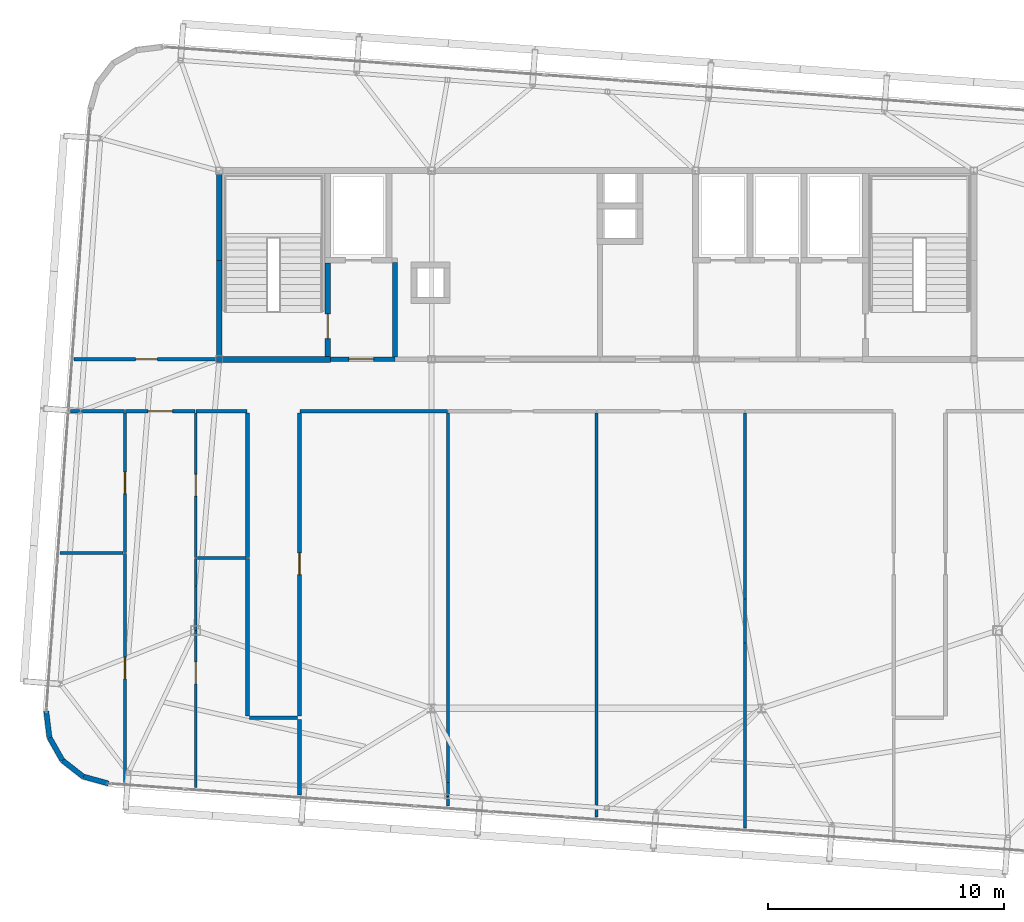
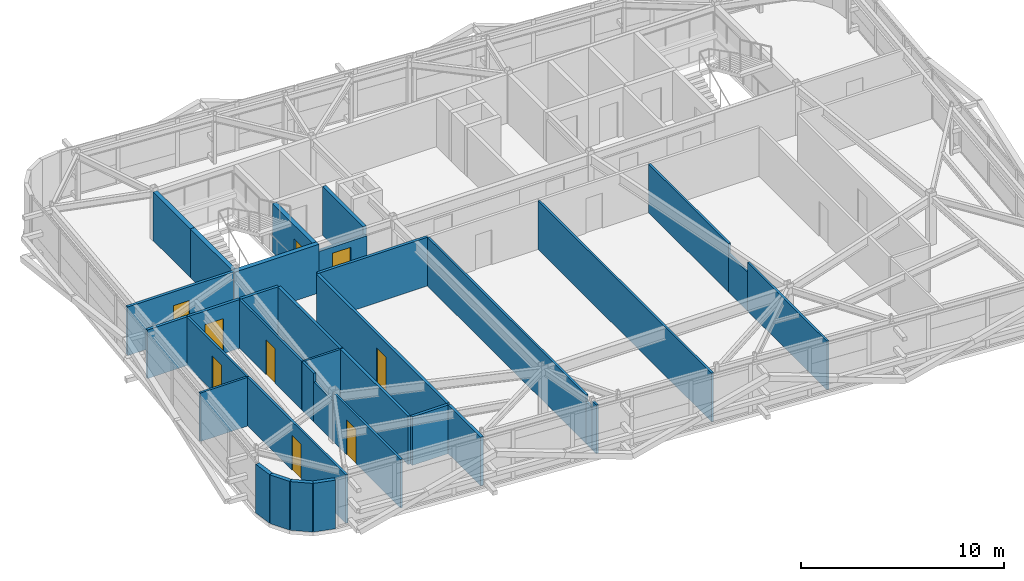
# One storey, part 38 of 42: 35 walls, 9 doors, 9 openings.
"""IFC4 building model written with IfcOpenShell, lengths in metres."""

import ifcopenshell
import ifcopenshell.guid

model = None  # the IFC model being written
_history = None  # IfcOwnerHistory: only IFC2X3 demands one
_inside = {}  # id of a spatial element -> (the spatial element, [elements in it])
_under = {}  # id of a project, library or spatial element -> (it, [spatial elements below it])
_declared = {}  # id of a project -> (the project, [libraries it declares])
_typed = {}  # id of a type object -> (the type object, [elements of that type])
_made_of = {}  # id of a material, layer set ... -> (it, [elements and type objects made of it])


def new_model(schema):
    """Start an empty IFC model of exactly this schema.

    Asked for "IFC4X3", IfcOpenShell would pick the latest addendum, in which some entities
    have other attributes; the version numbers below select the first issue.
    IFC2X3 requires an IfcOwnerHistory on every rooted entity: one is made here for all.
    """
    global model, _history
    if schema == "IFC4X3":
        model = ifcopenshell.file(schema_version=(4, 3, 0, 0))
    else:
        model = ifcopenshell.file(schema=schema)
    _inside.clear()
    _under.clear()
    _declared.clear()
    _typed.clear()
    _made_of.clear()
    _history = None
    if model.schema == "IFC2X3":
        org = make("IfcOrganization", Name="unknown")
        user = make(
            "IfcPersonAndOrganization",
            ThePerson=make("IfcPerson", FamilyName="unknown"),
            TheOrganization=org,
        )
        app = make(
            "IfcApplication",
            ApplicationDeveloper=org,
            Version="unknown",
            ApplicationFullName="unknown",
            ApplicationIdentifier="unknown",
        )
        _history = make(
            "IfcOwnerHistory",
            OwningUser=user,
            OwningApplication=app,
            ChangeAction="ADDED",
            CreationDate=0,
        )
    return model


def make(cls, **values):
    """One entity of the class cls with the attributes given. An attribute that is None is left unset."""
    return model.create_entity(
        cls, **{name: value for name, value in values.items() if value is not None}
    )


def rooted(cls, **values):
    """An entity with a GlobalId (a new one), such as an element, a storey or a relation."""
    return make(cls, GlobalId=ifcopenshell.guid.new(), OwnerHistory=_history, **values)


def si_unit(unit_type, name, prefix=None):
    """IfcSIUnit, for example si_unit("LENGTHUNIT", "METRE", prefix="MILLI")."""
    return make("IfcSIUnit", UnitType=unit_type, Prefix=prefix, Name=name)


def assignment(units):
    """IfcUnitAssignment: the units of a project."""
    return None if units is None else make("IfcUnitAssignment", Units=units)


def point(xyz):
    """IfcCartesianPoint."""
    return None if xyz is None else make("IfcCartesianPoint", Coordinates=xyz)


def direction(xyz):
    """IfcDirection."""
    return None if xyz is None else make("IfcDirection", DirectionRatios=xyz)


def frame(location, z_axis=None, x_axis=None):
    """IfcAxis2Placement3D, a coordinate frame: its origin and axes. An axis left out is left unset."""
    return make(
        "IfcAxis2Placement3D",
        Location=point(location),
        Axis=direction(z_axis),
        RefDirection=direction(x_axis),
    )


def frame_2d(location, x_axis=None):
    """IfcAxis2Placement2D, a coordinate frame in the plane: its origin and x axis."""
    return make(
        "IfcAxis2Placement2D", Location=point(location), RefDirection=direction(x_axis)
    )


def origin():
    """The frame at (0, 0, 0) with its axes left unset."""
    return frame((0.0, 0.0, 0.0))


def place(relative_to, where):
    """IfcLocalPlacement: puts the frame where relative to a parent placement (None: the world)."""
    return make(
        "IfcLocalPlacement", PlacementRelTo=relative_to, RelativePlacement=where
    )


def context(
    kind, dimensions, precision=None, world=None, true_north=None, identifier=None
):
    """IfcGeometricRepresentationContext, for example the 3D "Model" context."""
    return make(
        "IfcGeometricRepresentationContext",
        ContextIdentifier=identifier,
        ContextType=kind,
        CoordinateSpaceDimension=dimensions,
        Precision=precision,
        WorldCoordinateSystem=world,
        TrueNorth=true_north,
    )


def subcontext(parent, identifier, kind, view, scale=None):
    """IfcGeometricRepresentationSubContext, for example "Body" below "Model"."""
    return make(
        "IfcGeometricRepresentationSubContext",
        ContextIdentifier=identifier,
        ContextType=kind,
        ParentContext=parent,
        TargetScale=scale,
        TargetView=view,
    )


def project(units=None, contexts=None):
    """IfcProject with its units and contexts."""
    return rooted(
        "IfcProject",
        Name="project",
        RepresentationContexts=contexts,
        UnitsInContext=assignment(units),
    )


def spatial(cls, under=None, at=None, **own):
    """A site, building, storey or space (cls), placed at a placement, below another one or the project."""
    s = rooted(cls, ObjectPlacement=at, **own)
    if under is not None:
        _under.setdefault(under.id(), (under, []))[1].append(s)
    return s


def profile(cls, at=None, kind="AREA", **sizes):
    """A parametric profile (cls). Its sizes go by their IFC names, for example OverallWidth=200.0."""
    return make(cls, ProfileType=kind, Position=at, **sizes)


def rectangle(**sizes):
    """IfcRectangleProfileDef."""
    return profile("IfcRectangleProfileDef", **sizes)


def extrude(swept, where, along, depth):
    """IfcExtrudedAreaSolid: the profile swept, set in the frame where, extruded along a direction by depth."""
    return make(
        "IfcExtrudedAreaSolid",
        SweptArea=swept,
        Position=where,
        ExtrudedDirection=direction(along),
        Depth=depth,
    )


def shape(context_of_items, identifier, shape_type, items):
    """IfcShapeRepresentation: the items that make up one representation, for example the "Body"."""
    return make(
        "IfcShapeRepresentation",
        ContextOfItems=context_of_items,
        RepresentationIdentifier=identifier,
        RepresentationType=shape_type,
        Items=items,
    )


def source(mapping_origin, context_of_items, identifier, shape_type, items):
    """IfcRepresentationMap: a shape defined once, which mapped items show again and again."""
    return make(
        "IfcRepresentationMap",
        MappingOrigin=mapping_origin,
        MappedRepresentation=shape(context_of_items, identifier, shape_type, items),
    )


def transform(
    local_origin,
    x_axis=None,
    y_axis=None,
    z_axis=None,
    scale=None,
    scale2=None,
    scale3=None,
    uniform=True,
):
    """IfcCartesianTransformationOperator3D, or its non-uniform kind. x_axis, y_axis, z_axis: its Axis1, 2, 3."""
    if uniform:
        return make(
            "IfcCartesianTransformationOperator3D",
            Axis1=direction(x_axis),
            Axis2=direction(y_axis),
            LocalOrigin=point(local_origin),
            Scale=scale,
            Axis3=direction(z_axis),
        )
    return make(
        "IfcCartesianTransformationOperator3DnonUniform",
        Axis1=direction(x_axis),
        Axis2=direction(y_axis),
        LocalOrigin=point(local_origin),
        Scale=scale,
        Axis3=direction(z_axis),
        Scale2=scale2,
        Scale3=scale3,
    )


def mapped(mapping_source, mapping_target):
    """IfcMappedItem: shows the shape of a source again, moved by a transform."""
    return make(
        "IfcMappedItem", MappingSource=mapping_source, MappingTarget=mapping_target
    )


def material(Name=None, Category=None):
    """IfcMaterial."""
    return make("IfcMaterial", Name=Name, Category=Category)


def layer(
    of_material, thickness, ventilated=None, Name=None, Category=None, Priority=None
):
    """IfcMaterialLayer: one layer of a wall or slab, of a material (None: an air gap)."""
    return make(
        "IfcMaterialLayer",
        Material=of_material,
        LayerThickness=thickness,
        IsVentilated=ventilated,
        Name=Name,
        Category=Category,
        Priority=Priority,
    )


def layer_set(layers, Name=None):
    """IfcMaterialLayerSet."""
    return make("IfcMaterialLayerSet", MaterialLayers=layers, LayerSetName=Name)


def made_of(thing, what):
    """Note that an element or type object is made of a material, layer set ...; save() writes the relation."""
    if what is not None:
        _made_of.setdefault(what.id(), (what, []))[1].append(thing)
    return thing


def type_object(cls, material=None, **own):
    """A type object (cls), such as IfcWallType, which elements share."""
    return made_of(rooted(cls, **own), material)


def element(
    cls,
    number,
    at=None,
    inside=None,
    cuts=None,
    type_object=None,
    material=None,
    context=None,
    identifier="Body",
    shape_type=None,
    held_by="IfcProductDefinitionShape",
    body=None,
    shapes=None,
    **own,
):
    """One element of the class cls, such as IfcWall. Its Tag is "e" and its number.

    at: its placement. inside: the storey or other place that contains it. cuts: it is an
    opening in that element (IfcRelVoidsElement). A single representation is given by context,
    identifier, shape_type and body (its items); several are given by shapes. held_by: the class
    of the entity that holds the representations. save() writes the other relations.
    """
    e = rooted(cls, Tag="e%d" % number, ObjectPlacement=at, **own)
    if body is not None:
        shapes = [shape(context, identifier, shape_type, body)]
    if shapes is not None:
        e.Representation = make(held_by, Representations=shapes)
    if inside is not None:
        _inside.setdefault(inside.id(), (inside, []))[1].append(e)
    if cuts is not None:
        rooted(
            "IfcRelVoidsElement", RelatingBuildingElement=cuts, RelatedOpeningElement=e
        )
    if type_object is not None:
        _typed.setdefault(type_object.id(), (type_object, []))[1].append(e)
    return made_of(e, material)


def fill(opening, filler):
    """IfcRelFillsElement: the door or window that sits in an opening."""
    return rooted(
        "IfcRelFillsElement",
        RelatingOpeningElement=opening,
        RelatedBuildingElement=filler,
    )


def aggregate(whole, parts):
    """IfcRelAggregates: a whole, such as a stair, and the parts it consists of."""
    return rooted("IfcRelAggregates", RelatingObject=whole, RelatedObjects=parts)


def save(model, path):
    """Write the relations noted so far, then the file.

    IfcRelAggregates (storeys below a building ...), IfcRelContainedInSpatialStructure (elements
    in a storey), IfcRelDefinesByType, IfcRelAssociatesMaterial and IfcRelDeclares: one each for
    every whole, place, type object, material and project.
    """
    for whole, parts in _under.values():
        aggregate(whole, parts)
    for where, things in _inside.values():
        rooted(
            "IfcRelContainedInSpatialStructure",
            RelatedElements=things,
            RelatingStructure=where,
        )
    for kind, things in _typed.values():
        rooted("IfcRelDefinesByType", RelatedObjects=things, RelatingType=kind)
    for what, things in _made_of.values():
        rooted("IfcRelAssociatesMaterial", RelatedObjects=things, RelatingMaterial=what)
    for by, libraries in _declared.values():
        rooted("IfcRelDeclares", RelatingContext=by, RelatedDefinitions=libraries)
    model.write(path)


model = new_model("IFC4")

# Units and contexts
model_context = context("Model", 3, precision=1e-05, world=origin(), true_north=direction((0.0, 1.0)))
body_context = subcontext(model_context, "Body", "Model", "MODEL_VIEW")
ifc_project = project(units=[si_unit("LENGTHUNIT", "METRE"), si_unit("AREAUNIT", "SQUARE_METRE"), si_unit("VOLUMEUNIT", "CUBIC_METRE"), si_unit("PLANEANGLEUNIT", "RADIAN"), si_unit("MASSUNIT", "GRAM", prefix="KILO")], contexts=[model_context])

# Site, building, storey
site_placement = place(None, origin())
site = spatial("IfcSite", under=ifc_project, at=site_placement, CompositionType="ELEMENT")
building_placement = place(site_placement, origin())
building = spatial("IfcBuilding", under=site, at=building_placement, Name="Taldren Reach Tower", CompositionType="ELEMENT")
storey_placement = place(building_placement, frame((0.0, 0.0, 224.0)))
storey = spatial("IfcBuildingStorey", under=building, at=storey_placement, Name="L68", CompositionType="ELEMENT", Elevation=224.0)

# Walls
ifc_material_1 = material(Name="Pale Champagne Anodised Aluminium Cladding", Category="aluminium")
ifc_layer_1 = layer(ifc_material_1, 0.04, Name="Pale Champagne Anodised Aluminium Cladding", Category="aluminium")
ifc_material_2 = material(Name="Mineral Wool Acoustic Insulation", Category="insulation")
ifc_layer_2 = layer(ifc_material_2, 0.06, Name="Mineral Wool Acoustic Insulation", Category="insulation")
ifc_material_3 = material(Name="Steel Gr 350 (C350L0)", Category="steel")
ifc_layer_3 = layer(ifc_material_3, 0.12, Name="Steel Gr 350 (C350L0)", Category="steel")
ifc_layer_set_1 = layer_set([ifc_layer_1, ifc_layer_2, ifc_layer_3], Name="Pale Champagne Aluminium Cladding and Steel Gr 350 Stud Framing")
wall_type_1 = type_object("IfcWallType", Name="EW-CRN-220", PredefinedType="SOLIDWALL", material=ifc_layer_set_1)
shared_shape_1 = source(origin(), body_context, "Body", "SweptSolid", [
    extrude(rectangle(XDim=1.115966796875, YDim=0.219970703125, at=frame_2d((0.55810546875, 0.0))), origin(), (0.0, 0.0, 1.0), 2.929931640625),
])
for number, where, z_axis, x_axis, name in (
    (1, (11.66259765625, 9.072021484375, 0.0), (0.0, 0.0, 1.0), (0.122742076028, -0.992438604032, 0.0), "Rounded-corner pale-metal facade wall L68-SW1"),
    (2, (11.799560546875, 7.964599609375, 0.0), (0.0, 0.0, 1.0), (0.493073284892, -0.869987779067, 0.0), "Rounded-corner pale-metal facade wall L68-SW2"),
    (3, (12.349853515625, 6.99365234375, 0.0), (0.0, 0.0, 1.0), (0.788597772321, -0.614909386406, 0.0), "Rounded-corner pale-metal facade wall L68-SW3"),
):
    element("IfcWall", number, at=place(storey_placement, frame(where, z_axis=z_axis, x_axis=x_axis)), inside=storey, type_object=wall_type_1, Name=name, PredefinedType="SOLIDWALL", context=body_context, shape_type="MappedRepresentation", body=[
        mapped(shared_shape_1, transform((0.0, 0.0, 0.0), scale=1.0)),
    ])
shared_shape_2 = source(origin(), body_context, "Body", "SweptSolid", [
    extrude(rectangle(XDim=1.11572265625, YDim=0.219970703125, at=frame_2d((0.557861328125, 0.0))), origin(), (0.0, 0.0, 1.0), 2.929931640625),
])
wall_1_placement = place(storey_placement, frame((13.22998046875, 6.307373046875, 0.0), z_axis=(0.0, 0.0, 1.0), x_axis=(0.963890028874, -0.266300605026, 0.0)))
element("IfcWall", 4, at=wall_1_placement, inside=storey, type_object=wall_type_1, Name="Rounded-corner pale-metal facade wall L68-SW4", PredefinedType="SOLIDWALL", context=body_context, shape_type="MappedRepresentation", body=[
    mapped(shared_shape_2, transform((0.0, 0.0, 0.0), scale=1.0)),
])
ifc_material_4 = material(Name="Fire-Rated Acoustic Plasterboard Stud Wall", Category="gypsum")
ifc_layer_4 = layer(ifc_material_4, 0.159912109375)
ifc_layer_set_2 = layer_set([ifc_layer_4], Name="Fire-Rated Acoustic Plasterboard Stud Wall")
wall_type_2 = type_object("IfcWallType", Name="IW-FIRE-160", PredefinedType="PARTITIONING", material=ifc_layer_set_2)
shared_shape_3 = source(origin(), body_context, "Body", "SweptSolid", [
    extrude(rectangle(XDim=2.0400390625, YDim=0.159912109375, at=frame_2d((1.02001953125, 0.0))), origin(), (0.0, 0.0, 1.0), 2.929931640625),
])
wall_2_placement = place(storey_placement, frame((22.320068359375, 8.800048828125, 0.0), z_axis=(0.0, 0.0, 1.0), x_axis=(-1.0, 0.0, 0.0)))
element("IfcWall", 5, at=wall_2_placement, inside=storey, type_object=wall_type_2, Name="Interior Partition Wall W-INT-L68-040", PredefinedType="PARTITIONING", context=body_context, shape_type="MappedRepresentation", body=[
    mapped(shared_shape_3, transform((0.0, 0.0, 0.0), scale=1.0)),
])
shared_shape_4 = source(origin(), body_context, "Body", "SweptSolid", [
    extrude(rectangle(XDim=2.159423828125, YDim=0.159912109375, at=frame_2d((1.07958984375, 0.0))), origin(), (0.0, 0.0, 1.0), 2.929931640625),
])
wall_3_placement = place(storey_placement, frame((20.1796875, 21.800048828125, 0.0), z_axis=(0.0, 0.0, 1.0), x_axis=(-1.0, 0.0, 0.0)))
element("IfcWall", 6, at=wall_3_placement, inside=storey, type_object=wall_type_2, Name="Interior Partition Wall W-INT-L68-037", PredefinedType="PARTITIONING", context=body_context, shape_type="MappedRepresentation", body=[
    mapped(shared_shape_4, transform((0.0, 0.0, 0.0), scale=1.0)),
])
ifc_material_5 = material(Name="Concrete S50 (50 MPa)", Category="concrete")
ifc_layer_5 = layer(ifc_material_5, 0.199951171875)
ifc_layer_set_3 = layer_set([ifc_layer_5], Name="Concrete S50 (50 MPa)")
wall_type_3 = type_object("IfcWallType", Name="IW-CORE-200", PredefinedType="SOLIDWALL", material=ifc_layer_set_3)
shared_shape_5 = source(origin(), body_context, "Body", "SweptSolid", [
    extrude(rectangle(XDim=4.0, YDim=0.199951171875, at=frame_2d((2.0, 0.0))), origin(), (0.0, 0.0, 1.0), 2.929931640625),
])
wall_4_placement = place(storey_placement, frame((26.449951171875, 24.10009765625, 0.0), z_axis=(0.0, 0.0, 1.0), x_axis=(0.0, 1.0, 0.0)))
element("IfcWall", 7, at=wall_4_placement, inside=storey, type_object=wall_type_3, Name="Rear Core Shear Wall W-INT-L68-006", PredefinedType="SOLIDWALL", context=body_context, shape_type="MappedRepresentation", body=[
    mapped(shared_shape_5, transform((0.0, 0.0, 0.0), scale=1.0)),
])
ifc_material_6 = material(Name="Insulated Residential Stud Partition", Category="gypsum")
ifc_layer_6 = layer(ifc_material_6, 0.1201171875)
ifc_layer_set_4 = layer_set([ifc_layer_6], Name="Insulated Residential Stud Partition")
wall_type_4 = type_object("IfcWallType", Name="IW-PART-120", PredefinedType="PARTITIONING", material=ifc_layer_set_4)
shared_shape_6 = source(origin(), body_context, "Body", "SweptSolid", [
    extrude(rectangle(XDim=1.9013671875, YDim=0.1201171875, at=frame_2d((0.95068359375, 0.0))), origin(), (0.0, 0.0, 1.0), 2.39697265625),
])
wall_5_placement = place(storey_placement, frame((18.0, 14.396240234375, 0.0), z_axis=(0.0, 0.0, 1.0), x_axis=(0.0, -1.0, 0.0)))
element("IfcWall", 8, at=wall_5_placement, inside=storey, type_object=wall_type_4, Name="Interior Partition Wall W-INT-L68-054 part 2", PredefinedType="PARTITIONING", context=body_context, shape_type="MappedRepresentation", body=[
    mapped(shared_shape_6, transform((0.0, 0.0, 0.0), scale=1.0)),
])
shared_shape_7 = source(origin(), body_context, "Body", "SweptSolid", [
    extrude(rectangle(XDim=1.86083984375, YDim=0.1201171875, at=frame_2d((0.930419921875, 0.0))), origin(), (0.0, 0.0, 1.0), 2.327880859375),
])
wall_6_placement = place(storey_placement, frame((41.300048828125, 13.830322265625, 0.0), z_axis=(0.0, 0.0, 1.0), x_axis=(0.0, -1.0, 0.0)))
element("IfcWall", 9, at=wall_6_placement, inside=storey, type_object=wall_type_4, Name="Interior Partition Wall W-INT-L68-060 part 2", PredefinedType="PARTITIONING", context=body_context, shape_type="MappedRepresentation", body=[
    mapped(shared_shape_7, transform((0.0, 0.0, 0.0), scale=1.0)),
])
ifc_material_7 = material(Name="Concrete S65 (65 MPa)", Category="concrete")
ifc_layer_7 = layer(ifc_material_7, 0.25)
ifc_layer_set_5 = layer_set([ifc_layer_7], Name="Concrete S65 (65 MPa)")
wall_type_5 = type_object("IfcWallType", Name="IW-CORE-250", PredefinedType="SHEAR", material=ifc_layer_set_5)
shared_shape_8 = source(origin(), body_context, "Body", "SweptSolid", [
    extrude(rectangle(XDim=4.074951171875, YDim=0.25, at=frame_2d((2.03759765625, 0.0))), origin(), (0.0, 0.0, 1.0), 2.929931640625),
])
wall_7_placement = place(storey_placement, frame((19.0, 24.125, 0.0), z_axis=(0.0, 0.0, 1.0), x_axis=(0.0, 1.0, 0.0)))
element("IfcWall", 10, at=wall_7_placement, inside=storey, type_object=wall_type_5, Name="Rear Core Shear Wall W-CORE-L68-WEST1", PredefinedType="SHEAR", context=body_context, shape_type="MappedRepresentation", body=[
    mapped(shared_shape_8, transform((0.0, 0.0, 0.0), scale=1.0)),
])
shared_shape_9 = source(origin(), body_context, "Body", "SweptSolid", [
    extrude(rectangle(XDim=3.675048828125, YDim=0.25, at=frame_2d((1.83740234375, 0.0))), origin(), (0.0, 0.0, 1.0), 2.929931640625),
])
wall_8_placement = place(storey_placement, frame((19.0, 28.199951171875, 0.0), z_axis=(0.0, 0.0, 1.0), x_axis=(0.0, 1.0, 0.0)))
element("IfcWall", 11, at=wall_8_placement, inside=storey, type_object=wall_type_5, Name="Rear Core Shear Wall W-CORE-L68-WEST2", PredefinedType="SHEAR", context=body_context, shape_type="MappedRepresentation", body=[
    mapped(shared_shape_9, transform((0.0, 0.0, 0.0), scale=1.0)),
])

# Wall, opening, door
shared_shape_10 = source(origin(), body_context, "Body", "SweptSolid", [
    extrude(rectangle(XDim=3.949951171875, YDim=0.25, at=frame_2d((1.97509765625, 0.0))), origin(), (0.0, 0.0, 1.0), 2.929931640625),
])
wall_9_placement = place(storey_placement, frame((23.60009765625, 24.125, 0.0), z_axis=(0.0, 0.0, 1.0), x_axis=(0.0, 1.0, 0.0)))
wall_9 = element("IfcWall", 12, at=wall_9_placement, inside=storey, type_object=wall_type_5, Name="Rear Core Shear Wall W-INT-L68-002", PredefinedType="SHEAR", context=body_context, shape_type="MappedRepresentation", body=[
    mapped(shared_shape_10, transform((0.0, 0.0, 0.0), scale=1.0)),
])
shared_shape_11 = source(origin(), body_context, "Body", "SweptSolid", [
    extrude(rectangle(XDim=1.050048828125, YDim=2.10009765625, at=frame_2d((0.52490234375, 1.050048828125))), frame((0.0, 0.135009765625, 0.0), z_axis=(0.0, -1.0, 0.0), x_axis=(1.0, 0.0, 0.0)), (0.0, 0.0, 1.0), 0.27001953125),
])
opening_1_placement = place(wall_9_placement, frame((0.75, 0.0, 0.0)))
opening_1 = element("IfcOpeningElement", 13, at=opening_1_placement, cuts=wall_9, Name="Opening DF-105", PredefinedType="OPENING", context=body_context, shape_type="MappedRepresentation", body=[
    mapped(shared_shape_11, transform((0.0, 0.0, 0.0), scale=1.0)),
])
ifc_material_8 = material(Name="Fire-Rated Care and Stair Exit Door")
door_type_1 = type_object("IfcDoorType", Name="ID-FIRE-105", OperationType="NOTDEFINED", PredefinedType="DOOR", material=ifc_material_8)
shared_shape_12 = source(origin(), body_context, "Body", "SweptSolid", [
    extrude(rectangle(XDim=1.050048828125, YDim=2.10009765625, at=frame_2d((0.52490234375, 1.050048828125))), frame((0.0, 0.02490234375, 0.0), z_axis=(0.0, -1.0, 0.0), x_axis=(1.0, 0.0, 0.0)), (0.0, 0.0, 1.0), 0.050048828125),
])
door_1_placement = place(opening_1_placement, origin())
door_1 = element("IfcDoor", 14, at=door_1_placement, inside=storey, type_object=door_type_1, Name="Fire Exit Stair Door DR-L68-001", OperationType="SINGLE_SWING_LEFT", OverallHeight=2.10009765625, OverallWidth=1.050048828125, PredefinedType="DOOR", context=body_context, shape_type="MappedRepresentation", body=[
    mapped(shared_shape_12, transform((0.0, 0.0, 0.0), scale=1.0)),
])
fill(opening_1, door_1)

# Wall
shared_shape_13 = source(origin(), body_context, "Body", "SweptSolid", [
    extrude(rectangle(XDim=4.85009765625, YDim=0.25, at=frame_2d((2.425048828125, 0.0))), origin(), (0.0, 0.0, 1.0), 2.929931640625),
])
wall_10_placement = place(storey_placement, frame((18.875, 24.0, 0.0), z_axis=(0.0, 0.0, 1.0), x_axis=(1.0, 0.0, 0.0)))
element("IfcWall", 15, at=wall_10_placement, inside=storey, type_object=wall_type_5, Name="Rear Core Shear Wall W-INT-L68-003", PredefinedType="SHEAR", context=body_context, shape_type="MappedRepresentation", body=[
    mapped(shared_shape_13, transform((0.0, 0.0, 0.0), scale=1.0)),
])

# Wall, opening, door
shared_shape_14 = source(origin(), body_context, "Body", "SweptSolid", [
    extrude(rectangle(XDim=2.724853515625, YDim=0.199951171875, at=frame_2d((1.3623046875, 0.0))), origin(), (0.0, 0.0, 1.0), 2.469970703125),
])
wall_11_placement = place(storey_placement, frame((23.72509765625, 24.0, 0.0), z_axis=(0.0, 0.0, 1.0), x_axis=(1.0, 0.0, 0.0)))
wall_11 = element("IfcWall", 16, at=wall_11_placement, inside=storey, type_object=wall_type_3, Name="Rear Core Shear Wall W-INT-L68-007", PredefinedType="SOLIDWALL", context=body_context, shape_type="MappedRepresentation", body=[
    mapped(shared_shape_14, transform((0.0, 0.0, 0.0), scale=1.0)),
])
shared_shape_15 = source(origin(), body_context, "Body", "SweptSolid", [
    extrude(rectangle(XDim=1.050048828125, YDim=2.10009765625, at=frame_2d((0.52490234375, 1.050048828125))), frame((0.0, 0.10986328125, 0.0), z_axis=(0.0, -1.0, 0.0), x_axis=(1.0, 0.0, 0.0)), (0.0, 0.0, 1.0), 0.219970703125),
])
opening_2_placement = place(wall_11_placement, frame((0.77490234375, 0.0, 0.0)))
opening_2 = element("IfcOpeningElement", 17, at=opening_2_placement, cuts=wall_11, Name="Opening DF-105", PredefinedType="OPENING", context=body_context, shape_type="MappedRepresentation", body=[
    mapped(shared_shape_15, transform((0.0, 0.0, 0.0), scale=1.0)),
])
door_2_placement = place(opening_2_placement, origin())
door_2 = element("IfcDoor", 18, at=door_2_placement, inside=storey, type_object=door_type_1, Name="Interior Door DR-L68-002", OperationType="SINGLE_SWING_LEFT", OverallHeight=2.10009765625, OverallWidth=1.050048828125, PredefinedType="DOOR", context=body_context, shape_type="MappedRepresentation", body=[
    mapped(shared_shape_12, transform((0.0, 0.0, 0.0), scale=1.0)),
])
fill(opening_2, door_2)

shared_shape_16 = source(origin(), body_context, "Body", "SweptSolid", [
    extrude(rectangle(XDim=12.840087890625, YDim=0.159912109375, at=frame_2d((6.419921875, 0.0))), origin(), (0.0, 0.0, 1.0), 2.929931640625),
])
wall_12_placement = place(storey_placement, frame((22.39990234375, 21.719970703125, 0.0), z_axis=(0.0, 0.0, 1.0), x_axis=(0.0, -1.0, 0.0)))
wall_12 = element("IfcWall", 19, at=wall_12_placement, inside=storey, type_object=wall_type_2, Name="Interior Partition Wall W-INT-L68-041", PredefinedType="PARTITIONING", context=body_context, shape_type="MappedRepresentation", body=[
    mapped(shared_shape_16, transform((0.0, 0.0, 0.0), scale=1.0)),
])
shared_shape_17 = source(origin(), body_context, "Body", "SweptSolid", [
    extrude(rectangle(XDim=0.919921875, YDim=2.10009765625, at=frame_2d((0.4599609375, 1.050048828125))), frame((0.0, 0.08984375, 0.0), z_axis=(0.0, -1.0, 0.0), x_axis=(1.0, 0.0, 0.0)), (0.0, 0.0, 1.0), 0.179931640625),
])
opening_3_placement = place(wall_12_placement, frame((5.93017578125, 0.0, 0.0)))
opening_3 = element("IfcOpeningElement", 20, at=opening_3_placement, cuts=wall_12, Name="Opening DI-092", PredefinedType="OPENING", context=body_context, shape_type="MappedRepresentation", body=[
    mapped(shared_shape_17, transform((0.0, 0.0, 0.0), scale=1.0)),
])
ifc_material_9 = material(Name="Solid-Core Timber Suite Door", Category="wood")
door_type_2 = type_object("IfcDoorType", Name="ID-INT-092", OperationType="NOTDEFINED", PredefinedType="DOOR", material=ifc_material_9)
shared_shape_18 = source(origin(), body_context, "Body", "SweptSolid", [
    extrude(rectangle(XDim=0.919921875, YDim=2.10009765625, at=frame_2d((0.4599609375, 1.050048828125))), frame((0.0, 0.02490234375, 0.0), z_axis=(0.0, -1.0, 0.0), x_axis=(1.0, 0.0, 0.0)), (0.0, 0.0, 1.0), 0.050048828125),
])
door_3_placement = place(opening_3_placement, origin())
door_3 = element("IfcDoor", 21, at=door_3_placement, inside=storey, type_object=door_type_2, Name="Interior Door DR-L68-010", OperationType="SINGLE_SWING_LEFT", OverallHeight=2.10009765625, OverallWidth=0.919921875, PredefinedType="DOOR", context=body_context, shape_type="MappedRepresentation", body=[
    mapped(shared_shape_18, transform((0.0, 0.0, 0.0), scale=1.0)),
])
fill(opening_3, door_3)

shared_shape_19 = source(origin(), body_context, "Body", "SweptSolid", [
    extrude(rectangle(XDim=6.03173828125, YDim=0.159912109375, at=frame_2d((3.015869140625, 0.0))), origin(), (0.0, 0.0, 1.0), 2.929931640625),
])
wall_13_placement = place(storey_placement, frame((12.84326171875, 24.0, 0.0), z_axis=(0.0, 0.0, 1.0), x_axis=(1.0, 0.0, 0.0)))
wall_13 = element("IfcWall", 22, at=wall_13_placement, inside=storey, type_object=wall_type_2, Name="Interior Partition Wall W-INT-L68-034", PredefinedType="PARTITIONING", context=body_context, shape_type="MappedRepresentation", body=[
    mapped(shared_shape_19, transform((0.0, 0.0, 0.0), scale=1.0)),
])
opening_4_placement = place(wall_13_placement, frame((2.6083984375, 0.0, 0.0)))
opening_4 = element("IfcOpeningElement", 23, at=opening_4_placement, cuts=wall_13, Name="Opening DI-092", PredefinedType="OPENING", context=body_context, shape_type="MappedRepresentation", body=[
    mapped(shared_shape_17, transform((0.0, 0.0, 0.0), scale=1.0)),
])
door_4_placement = place(opening_4_placement, origin())
door_4 = element("IfcDoor", 24, at=door_4_placement, inside=storey, type_object=door_type_2, Name="Interior Door DR-L68-008", OperationType="SINGLE_SWING_LEFT", OverallHeight=2.10009765625, OverallWidth=0.919921875, PredefinedType="DOOR", context=body_context, shape_type="MappedRepresentation", body=[
    mapped(shared_shape_18, transform((0.0, 0.0, 0.0), scale=1.0)),
])
fill(opening_4, door_4)

shared_shape_20 = source(origin(), body_context, "Body", "SweptSolid", [
    extrude(rectangle(XDim=2.96044921875, YDim=0.159912109375, at=frame_2d((1.480224609375, 0.0))), origin(), (0.0, 0.0, 1.0), 2.929931640625),
])
wall_14_placement = place(storey_placement, frame((17.979736328125, 21.800048828125, 0.0), z_axis=(0.0, 0.0, 1.0), x_axis=(-1.0, 0.0, 0.0)))
wall_14 = element("IfcWall", 25, at=wall_14_placement, inside=storey, type_object=wall_type_2, Name="Interior Partition Wall W-INT-L68-035", PredefinedType="PARTITIONING", context=body_context, shape_type="MappedRepresentation", body=[
    mapped(shared_shape_20, transform((0.0, 0.0, 0.0), scale=1.0)),
])
shared_shape_21 = source(origin(), body_context, "Body", "SweptSolid", [
    extrude(rectangle(XDim=1.050048828125, YDim=2.10009765625, at=frame_2d((0.52490234375, 1.050048828125))), frame((0.0, 0.08984375, 0.0), z_axis=(0.0, -1.0, 0.0), x_axis=(1.0, 0.0, 0.0)), (0.0, 0.0, 1.0), 0.179931640625),
])
opening_5_placement = place(wall_14_placement, frame((0.955322265625, 0.0, 0.0)))
opening_5 = element("IfcOpeningElement", 26, at=opening_5_placement, cuts=wall_14, Name="Opening DF-105", PredefinedType="OPENING", context=body_context, shape_type="MappedRepresentation", body=[
    mapped(shared_shape_21, transform((0.0, 0.0, 0.0), scale=1.0)),
])
door_5_placement = place(opening_5_placement, origin())
door_5 = element("IfcDoor", 27, at=door_5_placement, inside=storey, type_object=door_type_1, Name="Interior Door DR-L68-009", OperationType="SINGLE_SWING_RIGHT", OverallHeight=2.10009765625, OverallWidth=1.050048828125, PredefinedType="DOOR", context=body_context, shape_type="MappedRepresentation", body=[
    mapped(shared_shape_12, transform((0.0, 0.0, 0.0), scale=1.0)),
])
fill(opening_5, door_5)

# Walls
shared_shape_22 = source(origin(), body_context, "Body", "SweptSolid", [
    extrude(rectangle(XDim=6.11962890625, YDim=0.159912109375, at=frame_2d((3.059814453125, 0.0))), origin(), (0.0, 0.0, 1.0), 2.929931640625),
])
wall_15_placement = place(storey_placement, frame((20.199951171875, 15.600341796875, 0.0), z_axis=(0.0, 0.0, 1.0), x_axis=(0.0, 1.0, 0.0)))
element("IfcWall", 28, at=wall_15_placement, inside=storey, type_object=wall_type_2, Name="Interior Partition Wall W-INT-L68-036", PredefinedType="PARTITIONING", context=body_context, shape_type="MappedRepresentation", body=[
    mapped(shared_shape_22, transform((0.0, 0.0, 0.0), scale=1.0)),
])
shared_shape_23 = source(origin(), body_context, "Body", "SweptSolid", [
    extrude(rectangle(XDim=2.28564453125, YDim=0.159912109375, at=frame_2d((1.142822265625, 0.0))), origin(), (0.0, 0.0, 1.0), 2.929931640625),
])
wall_16_placement = place(storey_placement, frame((14.97900390625, 21.800048828125, 0.0), z_axis=(0.0, 0.0, 1.0), x_axis=(-1.0, 0.0, 0.0)))
element("IfcWall", 29, at=wall_16_placement, inside=storey, type_object=wall_type_2, Name="Interior Partition Wall W-INT-L68-038", PredefinedType="PARTITIONING", context=body_context, shape_type="MappedRepresentation", body=[
    mapped(shared_shape_23, transform((0.0, 0.0, 0.0), scale=1.0)),
])
shared_shape_24 = source(origin(), body_context, "Body", "SweptSolid", [
    extrude(rectangle(XDim=6.68017578125, YDim=0.159912109375, at=frame_2d((3.340087890625, 0.0))), origin(), (0.0, 0.0, 1.0), 2.929931640625),
])
wall_17_placement = place(storey_placement, frame((20.199951171875, 8.8798828125, 0.0), z_axis=(0.0, 0.0, 1.0), x_axis=(0.0, 1.0, 0.0)))
element("IfcWall", 30, at=wall_17_placement, inside=storey, type_object=wall_type_2, Name="Interior Partition Wall W-INT-L68-039", PredefinedType="PARTITIONING", context=body_context, shape_type="MappedRepresentation", body=[
    mapped(shared_shape_24, transform((0.0, 0.0, 0.0), scale=1.0)),
])
shared_shape_25 = source(origin(), body_context, "Body", "SweptSolid", [
    extrude(rectangle(XDim=6.25927734375, YDim=0.159912109375, at=frame_2d((3.129638671875, 0.0))), origin(), (0.0, 0.0, 1.0), 2.929931640625),
])
wall_18_placement = place(storey_placement, frame((28.6796875, 21.800048828125, 0.0), z_axis=(0.0, 0.0, 1.0), x_axis=(-1.0, 0.0, 0.0)))
element("IfcWall", 31, at=wall_18_placement, inside=storey, type_object=wall_type_2, Name="Interior Partition Wall W-INT-L68-042", PredefinedType="PARTITIONING", context=body_context, shape_type="MappedRepresentation", body=[
    mapped(shared_shape_25, transform((0.0, 0.0, 0.0), scale=1.0)),
])

# Wall, opening, door
shared_shape_26 = source(origin(), body_context, "Body", "SweptSolid", [
    extrude(rectangle(XDim=6.11962890625, YDim=0.1201171875, at=frame_2d((3.059814453125, 0.0))), origin(), (0.0, 0.0, 1.0), 2.929931640625),
])
wall_19_placement = place(storey_placement, frame((18.0, 21.719970703125, 0.0), z_axis=(0.0, 0.0, 1.0), x_axis=(0.0, -1.0, 0.0)))
wall_19 = element("IfcWall", 32, at=wall_19_placement, inside=storey, type_object=wall_type_4, Name="Interior Partition Wall W-INT-L68-051", PredefinedType="PARTITIONING", context=body_context, shape_type="MappedRepresentation", body=[
    mapped(shared_shape_26, transform((0.0, 0.0, 0.0), scale=1.0)),
])
shared_shape_27 = source(origin(), body_context, "Body", "SweptSolid", [
    extrude(rectangle(XDim=0.919921875, YDim=2.10009765625, at=frame_2d((0.4599609375, 1.050048828125))), frame((0.0, 0.070068359375, 0.0), z_axis=(0.0, -1.0, 0.0), x_axis=(1.0, 0.0, 0.0)), (0.0, 0.0, 1.0), 0.14013671875),
])
opening_6_placement = place(wall_19_placement, frame((2.599853515625, 0.0, 0.0)))
opening_6 = element("IfcOpeningElement", 33, at=opening_6_placement, cuts=wall_19, Name="Opening DI-092", PredefinedType="OPENING", context=body_context, shape_type="MappedRepresentation", body=[
    mapped(shared_shape_27, transform((0.0, 0.0, 0.0), scale=1.0)),
])
door_6_placement = place(opening_6_placement, origin())
door_6 = element("IfcDoor", 34, at=door_6_placement, inside=storey, type_object=door_type_2, Name="Interior Door DR-L68-016", OperationType="SINGLE_SWING_LEFT", OverallHeight=2.10009765625, OverallWidth=0.919921875, PredefinedType="DOOR", context=body_context, shape_type="MappedRepresentation", body=[
    mapped(shared_shape_18, transform((0.0, 0.0, 0.0), scale=1.0)),
])
fill(opening_6, door_6)

shared_shape_28 = source(origin(), body_context, "Body", "SweptSolid", [
    extrude(rectangle(XDim=5.91552734375, YDim=0.1201171875, at=frame_2d((2.957763671875, 0.0))), origin(), (0.0, 0.0, 1.0), 2.929931640625),
])
wall_20_placement = place(storey_placement, frame((14.9990234375, 15.804443359375, 0.0), z_axis=(0.0, 0.0, 1.0), x_axis=(0.0, 1.0, 0.0)))
wall_20 = element("IfcWall", 35, at=wall_20_placement, inside=storey, type_object=wall_type_4, Name="Interior Partition Wall W-INT-L68-052", PredefinedType="PARTITIONING", context=body_context, shape_type="MappedRepresentation", body=[
    mapped(shared_shape_28, transform((0.0, 0.0, 0.0), scale=1.0)),
])
opening_7_placement = place(wall_20_placement, frame((2.497802734375, 0.0, 0.0)))
opening_7 = element("IfcOpeningElement", 36, at=opening_7_placement, cuts=wall_20, Name="Opening DI-092", PredefinedType="OPENING", context=body_context, shape_type="MappedRepresentation", body=[
    mapped(shared_shape_27, transform((0.0, 0.0, 0.0), scale=1.0)),
])
door_7_placement = place(opening_7_placement, origin())
door_7 = element("IfcDoor", 37, at=door_7_placement, inside=storey, type_object=door_type_2, Name="Interior Door DR-L68-017", OperationType="SINGLE_SWING_RIGHT", OverallHeight=2.10009765625, OverallWidth=0.919921875, PredefinedType="DOOR", context=body_context, shape_type="MappedRepresentation", body=[
    mapped(shared_shape_18, transform((0.0, 0.0, 0.0), scale=1.0)),
])
fill(opening_7, door_7)

shared_shape_29 = source(origin(), body_context, "Body", "SweptSolid", [
    extrude(rectangle(XDim=9.720458984375, YDim=0.1201171875, at=frame_2d((4.8603515625, 0.0))), origin(), (0.0, 0.0, 1.0), 2.929931640625),
])
wall_21_placement = place(storey_placement, frame((14.9990234375, 6.043701171875, 0.0), z_axis=(0.0, 0.0, 1.0), x_axis=(0.0, 1.0, 0.0)))
wall_21 = element("IfcWall", 38, at=wall_21_placement, inside=storey, type_object=wall_type_4, Name="Interior Partition Wall W-INT-L68-053", PredefinedType="PARTITIONING", context=body_context, shape_type="MappedRepresentation", body=[
    mapped(shared_shape_29, transform((0.0, 0.0, 0.0), scale=1.0)),
])
opening_8_placement = place(wall_21_placement, frame((4.400390625, 0.0, 0.0)))
opening_8 = element("IfcOpeningElement", 39, at=opening_8_placement, cuts=wall_21, Name="Opening DI-092", PredefinedType="OPENING", context=body_context, shape_type="MappedRepresentation", body=[
    mapped(shared_shape_27, transform((0.0, 0.0, 0.0), scale=1.0)),
])
door_8_placement = place(opening_8_placement, origin())
door_8 = element("IfcDoor", 40, at=door_8_placement, inside=storey, type_object=door_type_2, Name="Interior Door DR-L68-018", OperationType="SINGLE_SWING_LEFT", OverallHeight=2.10009765625, OverallWidth=0.919921875, PredefinedType="DOOR", context=body_context, shape_type="MappedRepresentation", body=[
    mapped(shared_shape_18, transform((0.0, 0.0, 0.0), scale=1.0)),
])
fill(opening_8, door_8)

# Wall
shared_shape_30 = source(origin(), body_context, "Body", "SweptSolid", [
    extrude(rectangle(XDim=1.163818359375, YDim=0.1201171875, at=frame_2d((0.58203125, 0.0))), origin(), (0.0, 0.0, 1.0), 2.929931640625),
])
wall_22_placement = place(storey_placement, frame((18.0, 15.56005859375, 0.0), z_axis=(0.0, 0.0, 1.0), x_axis=(0.0, -1.0, 0.0)))
element("IfcWall", 41, at=wall_22_placement, inside=storey, type_object=wall_type_4, Name="Interior Partition Wall W-INT-L68-054", PredefinedType="PARTITIONING", context=body_context, shape_type="MappedRepresentation", body=[
    mapped(shared_shape_30, transform((0.0, 0.0, 0.0), scale=1.0)),
])

# Wall, opening, door
shared_shape_31 = source(origin(), body_context, "Body", "SweptSolid", [
    extrude(rectangle(XDim=6.659912109375, YDim=0.1201171875, at=frame_2d((3.330078125, 0.0))), origin(), (0.0, 0.0, 1.0), 2.929931640625),
])
wall_23_placement = place(storey_placement, frame((18.0, 12.494873046875, 0.0), z_axis=(0.0, 0.0, 1.0), x_axis=(0.0, -1.0, 0.0)))
wall_23 = element("IfcWall", 42, at=wall_23_placement, inside=storey, type_object=wall_type_4, Name="Interior Partition Wall W-INT-L68-054 part 3", PredefinedType="PARTITIONING", context=body_context, shape_type="MappedRepresentation", body=[
    mapped(shared_shape_31, transform((0.0, 0.0, 0.0), scale=1.0)),
])
opening_9_placement = place(wall_23_placement, frame((1.337158203125, 0.0, 0.0)))
opening_9 = element("IfcOpeningElement", 43, at=opening_9_placement, cuts=wall_23, Name="Opening DI-092", PredefinedType="OPENING", context=body_context, shape_type="MappedRepresentation", body=[
    mapped(shared_shape_27, transform((0.0, 0.0, 0.0), scale=1.0)),
])
door_9_placement = place(opening_9_placement, origin())
door_9 = element("IfcDoor", 44, at=door_9_placement, inside=storey, type_object=door_type_2, Name="Interior Door DR-L68-019", OperationType="SINGLE_SWING_RIGHT", OverallHeight=2.10009765625, OverallWidth=0.919921875, PredefinedType="DOOR", context=body_context, shape_type="MappedRepresentation", body=[
    mapped(shared_shape_18, transform((0.0, 0.0, 0.0), scale=1.0)),
])
fill(opening_9, door_9)

# Walls
shared_shape_32 = source(origin(), body_context, "Body", "SweptSolid", [
    extrude(rectangle(XDim=2.0400390625, YDim=0.1201171875, at=frame_2d((1.02001953125, 0.0))), origin(), (0.0, 0.0, 1.0), 2.929931640625),
])
wall_24_placement = place(storey_placement, frame((20.1201171875, 15.580078125, 0.0), z_axis=(0.0, 0.0, 1.0), x_axis=(-1.0, 0.0, 0.0)))
element("IfcWall", 45, at=wall_24_placement, inside=storey, type_object=wall_type_4, Name="Interior Partition Wall W-INT-L68-055", PredefinedType="PARTITIONING", context=body_context, shape_type="MappedRepresentation", body=[
    mapped(shared_shape_32, transform((0.0, 0.0, 0.0), scale=1.0)),
])
shared_shape_33 = source(origin(), body_context, "Body", "SweptSolid", [
    extrude(rectangle(XDim=2.66748046875, YDim=0.1201171875, at=frame_2d((1.333740234375, 0.0))), origin(), (0.0, 0.0, 1.0), 2.929931640625),
])
wall_25_placement = place(storey_placement, frame((14.919189453125, 15.7841796875, 0.0), z_axis=(0.0, 0.0, 1.0), x_axis=(-1.0, 0.0, 0.0)))
element("IfcWall", 46, at=wall_25_placement, inside=storey, type_object=wall_type_4, Name="Interior Partition Wall W-INT-L68-056", PredefinedType="PARTITIONING", context=body_context, shape_type="MappedRepresentation", body=[
    mapped(shared_shape_33, transform((0.0, 0.0, 0.0), scale=1.0)),
])
shared_shape_34 = source(origin(), body_context, "Body", "SweptSolid", [
    extrude(rectangle(XDim=3.2041015625, YDim=0.159912109375, at=frame_2d((1.60205078125, 0.0))), origin(), (0.0, 0.0, 1.0), 2.929931640625),
])
wall_26_placement = place(storey_placement, frame((22.39990234375, 8.718017578125, 0.0), z_axis=(0.0, 0.0, 1.0), x_axis=(0.0, -1.0, 0.0)))
element("IfcWall", 47, at=wall_26_placement, inside=storey, type_object=wall_type_2, Name="Interior Partition Wall W-INT-L68-057", PredefinedType="PARTITIONING", context=body_context, shape_type="MappedRepresentation", body=[
    mapped(shared_shape_34, transform((0.0, 0.0, 0.0), scale=1.0)),
])
shared_shape_35 = source(origin(), body_context, "Body", "SweptSolid", [
    extrude(rectangle(XDim=15.6552734375, YDim=0.1201171875, at=frame_2d((7.82763671875, 0.0))), origin(), (0.0, 0.0, 1.0), 2.929931640625),
])
wall_27_placement = place(storey_placement, frame((28.699951171875, 21.719970703125, 0.0), z_axis=(0.0, 0.0, 1.0), x_axis=(0.0, -1.0, 0.0)))
element("IfcWall", 48, at=wall_27_placement, inside=storey, type_object=wall_type_4, Name="Interior Partition Wall W-INT-L68-058", PredefinedType="PARTITIONING", context=body_context, shape_type="MappedRepresentation", body=[
    mapped(shared_shape_35, transform((0.0, 0.0, 0.0), scale=1.0)),
])
shared_shape_36 = source(origin(), body_context, "Body", "SweptSolid", [
    extrude(rectangle(XDim=0.599365234375, YDim=0.1201171875, at=frame_2d((0.2998046875, 0.0))), origin(), (0.0, 0.0, 1.0), 2.52392578125),
])
wall_28_placement = place(storey_placement, frame((28.699951171875, 6.064697265625, 0.0), z_axis=(0.0, 0.0, 1.0), x_axis=(0.0, -1.0, 0.0)))
element("IfcWall", 49, at=wall_28_placement, inside=storey, type_object=wall_type_4, Name="Interior Partition Wall W-INT-L68-058 part 2", PredefinedType="PARTITIONING", context=body_context, shape_type="MappedRepresentation", body=[
    mapped(shared_shape_36, transform((0.0, 0.0, 0.0), scale=1.0)),
])
shared_shape_37 = source(origin(), body_context, "Body", "SweptSolid", [
    extrude(rectangle(XDim=0.416015625, YDim=0.1201171875, at=frame_2d((0.2080078125, 0.0))), origin(), (0.0, 0.0, 1.0), 2.929931640625),
])
wall_29_placement = place(storey_placement, frame((28.699951171875, 5.46533203125, 0.0), z_axis=(0.0, 0.0, 1.0), x_axis=(0.0, -1.0, 0.0)))
element("IfcWall", 50, at=wall_29_placement, inside=storey, type_object=wall_type_4, Name="Interior Partition Wall W-INT-L68-058 part 3", PredefinedType="PARTITIONING", context=body_context, shape_type="MappedRepresentation", body=[
    mapped(shared_shape_37, transform((0.0, 0.0, 0.0), scale=1.0)),
])
shared_shape_38 = source(origin(), body_context, "Body", "SweptSolid", [
    extrude(rectangle(XDim=17.129638671875, YDim=0.1201171875, at=frame_2d((8.56494140625, 0.0))), origin(), (0.0, 0.0, 1.0), 2.929931640625),
])
wall_30_placement = place(storey_placement, frame((35.0, 21.718017578125, 0.0), z_axis=(0.0, 0.0, 1.0), x_axis=(0.0, -1.0, 0.0)))
element("IfcWall", 51, at=wall_30_placement, inside=storey, type_object=wall_type_4, Name="Interior Partition Wall W-INT-L68-059", PredefinedType="PARTITIONING", context=body_context, shape_type="MappedRepresentation", body=[
    mapped(shared_shape_38, transform((0.0, 0.0, 0.0), scale=1.0)),
])
shared_shape_39 = source(origin(), body_context, "Body", "SweptSolid", [
    extrude(rectangle(XDim=7.8896484375, YDim=0.1201171875, at=frame_2d((3.94482421875, 0.0))), origin(), (0.0, 0.0, 1.0), 2.929931640625),
])
wall_31_placement = place(storey_placement, frame((41.300048828125, 21.719970703125, 0.0), z_axis=(0.0, 0.0, 1.0), x_axis=(0.0, -1.0, 0.0)))
element("IfcWall", 52, at=wall_31_placement, inside=storey, type_object=wall_type_4, Name="Interior Partition Wall W-INT-L68-060", PredefinedType="PARTITIONING", context=body_context, shape_type="MappedRepresentation", body=[
    mapped(shared_shape_39, transform((0.0, 0.0, 0.0), scale=1.0)),
])
shared_shape_40 = source(origin(), body_context, "Body", "SweptSolid", [
    extrude(rectangle(XDim=7.845458984375, YDim=0.1201171875, at=frame_2d((3.9228515625, 0.0))), origin(), (0.0, 0.0, 1.0), 2.929931640625),
])
wall_32_placement = place(storey_placement, frame((41.300048828125, 11.969482421875, 0.0), z_axis=(0.0, 0.0, 1.0), x_axis=(0.0, -1.0, 0.0)))
element("IfcWall", 53, at=wall_32_placement, inside=storey, type_object=wall_type_4, Name="Interior Partition Wall W-INT-L68-060 part 3", PredefinedType="PARTITIONING", context=body_context, shape_type="MappedRepresentation", body=[
    mapped(shared_shape_40, transform((0.0, 0.0, 0.0), scale=1.0)),
])

save(model, "model.ifc")
